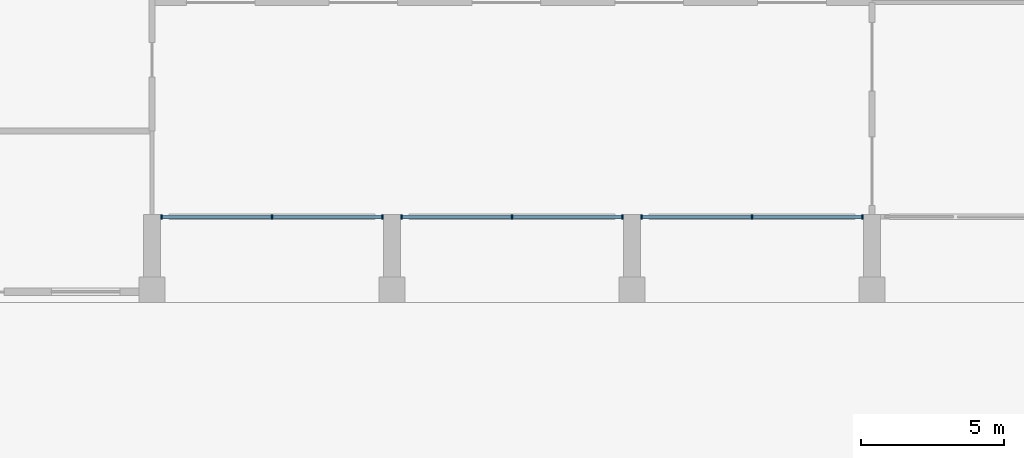
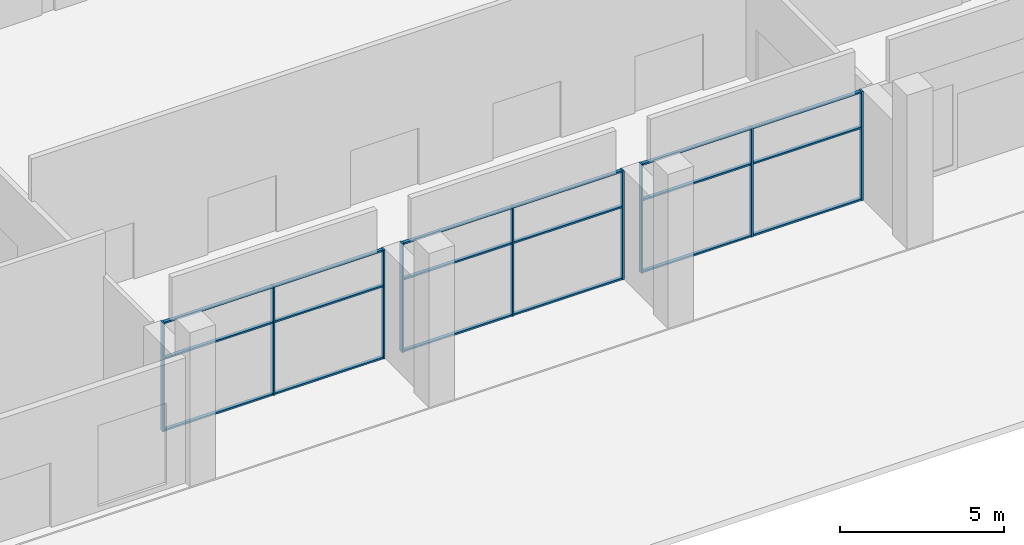
# One storey, part 2 of 20: 27 members, 3 elements without a shape of their own.
"""IFC4 building model written with IfcOpenShell, lengths in metres."""

from ifc_helpers import new_model, si_unit, direction, frame, origin, origin_2d, place, context, subcontext, project, spatial, rectangle, extrude, source, transform, mapped, material, layer, layer_set, material_profile, profile_set, type_object, element, aggregate, save


model = new_model("IFC4")

# Units and contexts
model_context = context("Model", 3, precision=1e-05, world=origin(), true_north=direction((0.0, 1.0)))
body_context = subcontext(model_context, "Body", "Model", "MODEL_VIEW")
ifc_project = project(units=[si_unit("LENGTHUNIT", "METRE"), si_unit("AREAUNIT", "SQUARE_METRE"), si_unit("VOLUMEUNIT", "CUBIC_METRE"), si_unit("PLANEANGLEUNIT", "RADIAN"), si_unit("MASSUNIT", "GRAM", prefix="KILO")], contexts=[model_context])

# Site, building, storey
site_placement = place(None, origin())
site = spatial("IfcSite", under=ifc_project, at=site_placement, CompositionType="ELEMENT")
building_placement = place(site_placement, origin())
building = spatial("IfcBuilding", under=site, at=building_placement, Name="Vanashikhar Sky Hotel", CompositionType="ELEMENT")
storey_placement = place(building_placement, origin())
storey = spatial("IfcBuildingStorey", under=building, at=storey_placement, Name="L00", CompositionType="ELEMENT", Elevation=0.0)

# Curtain wall, members
ifc_material_1 = material(Name="Glass", Category="glass")
ifc_layer = layer(ifc_material_1, 0.159912109375)
ifc_layer_set = layer_set([ifc_layer], Name="Lobby curtain wall")
curtain_wall_type = type_object("IfcCurtainWallType", Name="Lobby curtain wall", PredefinedType="NOTDEFINED", material=ifc_layer_set)
curtain_wall_1_placement = place(storey_placement, origin())
curtain_wall_1 = element("IfcCurtainWall", 1, at=curtain_wall_1_placement, inside=storey, type_object=curtain_wall_type, Name="Lobby curtain wall", PredefinedType="NOTDEFINED")
ifc_material_2 = material(Name="Aluminium 6063-T6", Category="aluminium")
ifc_material_profile_1 = material_profile(ifc_material_2, rectangle(XDim=0.159912109375, YDim=0.06005859375, at=origin_2d()))
ifc_profile_set_1 = profile_set([ifc_material_profile_1], Name="Aluminium 6063-T6")
member_type_1 = type_object("IfcMemberType", Name="Podium curtain wall mullion 60 x 160", PredefinedType="MULLION", material=ifc_profile_set_1)
shared_shape_1 = source(origin(), body_context, "Body", "SweptSolid", [
    extrude(rectangle(XDim=0.159912109375, YDim=0.06005859375, at=origin_2d()), origin(), (0.0, 0.0, 1.0), 4.050048828125),
])
member_1_placement = place(storey_placement, frame((17.1298828125, -21.0, 0.0), z_axis=(0.0, 0.0, 1.0), x_axis=(0.0, 1.0, 0.0)))
member_1 = element("IfcMember", 2, at=member_1_placement, type_object=member_type_1, Name="CW-1.001 mullion 1", PredefinedType="MULLION", context=body_context, shape_type="MappedRepresentation", body=[
    mapped(shared_shape_1, transform((0.0, 0.0, 0.0), scale=1.0)),
])
member_2_placement = place(storey_placement, frame((21.0, -21.0, 0.0), z_axis=(0.0, 0.0, 1.0), x_axis=(0.0, 1.0, 0.0)))
member_2 = element("IfcMember", 3, at=member_2_placement, type_object=member_type_1, Name="CW-1.001 mullion 2", PredefinedType="MULLION", context=body_context, shape_type="MappedRepresentation", body=[
    mapped(shared_shape_1, transform((0.0, 0.0, 0.0), scale=1.0)),
])
member_3_placement = place(storey_placement, frame((24.8701171875, -21.0, 0.0), z_axis=(0.0, 0.0, 1.0), x_axis=(0.0, 1.0, 0.0)))
member_3 = element("IfcMember", 4, at=member_3_placement, type_object=member_type_1, Name="CW-1.001 mullion 3", PredefinedType="MULLION", context=body_context, shape_type="MappedRepresentation", body=[
    mapped(shared_shape_1, transform((0.0, 0.0, 0.0), scale=1.0)),
])

curtain_wall_2_placement = place(storey_placement, origin())
curtain_wall_2 = element("IfcCurtainWall", 5, at=curtain_wall_2_placement, inside=storey, type_object=curtain_wall_type, Name="Lobby curtain wall", PredefinedType="NOTDEFINED")
member_4_placement = place(storey_placement, frame((25.530029296875, -21.0, 0.0), z_axis=(0.0, 0.0, 1.0), x_axis=(0.0, 1.0, 0.0)))
member_4 = element("IfcMember", 6, at=member_4_placement, type_object=member_type_1, Name="CW-1.002 mullion 1", PredefinedType="MULLION", context=body_context, shape_type="MappedRepresentation", body=[
    mapped(shared_shape_1, transform((0.0, 0.0, 0.0), scale=1.0)),
])
member_5_placement = place(storey_placement, frame((29.39990234375, -21.0, 0.0), z_axis=(0.0, 0.0, 1.0), x_axis=(0.0, 1.0, 0.0)))
member_5 = element("IfcMember", 7, at=member_5_placement, type_object=member_type_1, Name="CW-1.002 mullion 2", PredefinedType="MULLION", context=body_context, shape_type="MappedRepresentation", body=[
    mapped(shared_shape_1, transform((0.0, 0.0, 0.0), scale=1.0)),
])
member_6_placement = place(storey_placement, frame((33.27001953125, -21.0, 0.0), z_axis=(0.0, 0.0, 1.0), x_axis=(0.0, 1.0, 0.0)))
member_6 = element("IfcMember", 8, at=member_6_placement, type_object=member_type_1, Name="CW-1.002 mullion 3", PredefinedType="MULLION", context=body_context, shape_type="MappedRepresentation", body=[
    mapped(shared_shape_1, transform((0.0, 0.0, 0.0), scale=1.0)),
])

curtain_wall_3_placement = place(storey_placement, origin())
curtain_wall_3 = element("IfcCurtainWall", 9, at=curtain_wall_3_placement, inside=storey, type_object=curtain_wall_type, Name="Lobby curtain wall", PredefinedType="NOTDEFINED")
member_7_placement = place(storey_placement, frame((33.929931640625, -21.0, 0.0), z_axis=(0.0, 0.0, 1.0), x_axis=(0.0, 1.0, 0.0)))
member_7 = element("IfcMember", 10, at=member_7_placement, type_object=member_type_1, Name="CW-1.003 mullion 1", PredefinedType="MULLION", context=body_context, shape_type="MappedRepresentation", body=[
    mapped(shared_shape_1, transform((0.0, 0.0, 0.0), scale=1.0)),
])
member_8_placement = place(storey_placement, frame((37.800048828125, -21.0, 0.0), z_axis=(0.0, 0.0, 1.0), x_axis=(0.0, 1.0, 0.0)))
member_8 = element("IfcMember", 11, at=member_8_placement, type_object=member_type_1, Name="CW-1.003 mullion 2", PredefinedType="MULLION", context=body_context, shape_type="MappedRepresentation", body=[
    mapped(shared_shape_1, transform((0.0, 0.0, 0.0), scale=1.0)),
])
member_9_placement = place(storey_placement, frame((41.669921875, -21.0, 0.0), z_axis=(0.0, 0.0, 1.0), x_axis=(0.0, 1.0, 0.0)))
member_9 = element("IfcMember", 12, at=member_9_placement, type_object=member_type_1, Name="CW-1.003 mullion 3", PredefinedType="MULLION", context=body_context, shape_type="MappedRepresentation", body=[
    mapped(shared_shape_1, transform((0.0, 0.0, 0.0), scale=1.0)),
])

# Member
ifc_material_profile_2 = material_profile(ifc_material_2, rectangle(XDim=0.1201171875, YDim=0.06005859375, at=origin_2d()))
ifc_profile_set_2 = profile_set([ifc_material_profile_2], Name="Aluminium 6063-T6")
member_type_2 = type_object("IfcMemberType", Name="Podium curtain wall transom 60 x 120", PredefinedType="USERDEFINED", material=ifc_profile_set_2)
shared_shape_2 = source(origin(), body_context, "Body", "SweptSolid", [
    extrude(rectangle(XDim=0.1201171875, YDim=0.06005859375, at=origin_2d()), origin(), (0.0, 0.0, 1.0), 3.81005859375),
])
member_10_placement = place(storey_placement, frame((17.159912109375, -21.0, 0.030029296875), z_axis=(1.0, 0.0, 0.0), x_axis=(0.0, 1.0, 0.0)))
member_10 = element("IfcMember", 13, at=member_10_placement, type_object=member_type_2, Name="CW-1.001 transom 1.1", ObjectType="TRANSOM", PredefinedType="USERDEFINED", context=body_context, shape_type="MappedRepresentation", body=[
    mapped(shared_shape_2, transform((0.0, 0.0, 0.0), scale=1.0)),
])

member_11_placement = place(storey_placement, frame((17.159912109375, -21.0, 2.699951171875), z_axis=(1.0, 0.0, 0.0), x_axis=(0.0, 1.0, 0.0)))
member_11 = element("IfcMember", 14, at=member_11_placement, type_object=member_type_2, Name="CW-1.001 transom 1.2", ObjectType="TRANSOM", PredefinedType="USERDEFINED", context=body_context, shape_type="MappedRepresentation", body=[
    mapped(shared_shape_2, transform((0.0, 0.0, 0.0), scale=1.0)),
])

member_12_placement = place(storey_placement, frame((17.159912109375, -21.0, 4.02001953125), z_axis=(1.0, 0.0, 0.0), x_axis=(0.0, 1.0, 0.0)))
member_12 = element("IfcMember", 15, at=member_12_placement, type_object=member_type_2, Name="CW-1.001 transom 1.3", ObjectType="TRANSOM", PredefinedType="USERDEFINED", context=body_context, shape_type="MappedRepresentation", body=[
    mapped(shared_shape_2, transform((0.0, 0.0, 0.0), scale=1.0)),
])

member_13_placement = place(storey_placement, frame((21.030029296875, -21.0, 0.030029296875), z_axis=(1.0, 0.0, 0.0), x_axis=(0.0, 1.0, 0.0)))
member_13 = element("IfcMember", 16, at=member_13_placement, type_object=member_type_2, Name="CW-1.001 transom 2.1", ObjectType="TRANSOM", PredefinedType="USERDEFINED", context=body_context, shape_type="MappedRepresentation", body=[
    mapped(shared_shape_2, transform((0.0, 0.0, 0.0), scale=1.0)),
])

member_14_placement = place(storey_placement, frame((21.030029296875, -21.0, 2.699951171875), z_axis=(1.0, 0.0, 0.0), x_axis=(0.0, 1.0, 0.0)))
member_14 = element("IfcMember", 17, at=member_14_placement, type_object=member_type_2, Name="CW-1.001 transom 2.2", ObjectType="TRANSOM", PredefinedType="USERDEFINED", context=body_context, shape_type="MappedRepresentation", body=[
    mapped(shared_shape_2, transform((0.0, 0.0, 0.0), scale=1.0)),
])

member_15_placement = place(storey_placement, frame((21.030029296875, -21.0, 4.02001953125), z_axis=(1.0, 0.0, 0.0), x_axis=(0.0, 1.0, 0.0)))
member_15 = element("IfcMember", 18, at=member_15_placement, type_object=member_type_2, Name="CW-1.001 transom 2.3", ObjectType="TRANSOM", PredefinedType="USERDEFINED", context=body_context, shape_type="MappedRepresentation", body=[
    mapped(shared_shape_2, transform((0.0, 0.0, 0.0), scale=1.0)),
])

aggregate(curtain_wall_1, [member_1, member_2, member_3, member_10, member_11, member_12, member_13, member_14, member_15])

member_16_placement = place(storey_placement, frame((25.56005859375, -21.0, 0.030029296875), z_axis=(1.0, 0.0, 0.0), x_axis=(0.0, 1.0, 0.0)))
member_16 = element("IfcMember", 19, at=member_16_placement, type_object=member_type_2, Name="CW-1.002 transom 1.1", ObjectType="TRANSOM", PredefinedType="USERDEFINED", context=body_context, shape_type="MappedRepresentation", body=[
    mapped(shared_shape_2, transform((0.0, 0.0, 0.0), scale=1.0)),
])

member_17_placement = place(storey_placement, frame((25.56005859375, -21.0, 2.699951171875), z_axis=(1.0, 0.0, 0.0), x_axis=(0.0, 1.0, 0.0)))
member_17 = element("IfcMember", 20, at=member_17_placement, type_object=member_type_2, Name="CW-1.002 transom 1.2", ObjectType="TRANSOM", PredefinedType="USERDEFINED", context=body_context, shape_type="MappedRepresentation", body=[
    mapped(shared_shape_2, transform((0.0, 0.0, 0.0), scale=1.0)),
])

member_18_placement = place(storey_placement, frame((25.56005859375, -21.0, 4.02001953125), z_axis=(1.0, 0.0, 0.0), x_axis=(0.0, 1.0, 0.0)))
member_18 = element("IfcMember", 21, at=member_18_placement, type_object=member_type_2, Name="CW-1.002 transom 1.3", ObjectType="TRANSOM", PredefinedType="USERDEFINED", context=body_context, shape_type="MappedRepresentation", body=[
    mapped(shared_shape_2, transform((0.0, 0.0, 0.0), scale=1.0)),
])

member_19_placement = place(storey_placement, frame((29.429931640625, -21.0, 0.030029296875), z_axis=(1.0, 0.0, 0.0), x_axis=(0.0, 1.0, 0.0)))
member_19 = element("IfcMember", 22, at=member_19_placement, type_object=member_type_2, Name="CW-1.002 transom 2.1", ObjectType="TRANSOM", PredefinedType="USERDEFINED", context=body_context, shape_type="MappedRepresentation", body=[
    mapped(shared_shape_2, transform((0.0, 0.0, 0.0), scale=1.0)),
])

member_20_placement = place(storey_placement, frame((29.429931640625, -21.0, 2.699951171875), z_axis=(1.0, 0.0, 0.0), x_axis=(0.0, 1.0, 0.0)))
member_20 = element("IfcMember", 23, at=member_20_placement, type_object=member_type_2, Name="CW-1.002 transom 2.2", ObjectType="TRANSOM", PredefinedType="USERDEFINED", context=body_context, shape_type="MappedRepresentation", body=[
    mapped(shared_shape_2, transform((0.0, 0.0, 0.0), scale=1.0)),
])

member_21_placement = place(storey_placement, frame((29.429931640625, -21.0, 4.02001953125), z_axis=(1.0, 0.0, 0.0), x_axis=(0.0, 1.0, 0.0)))
member_21 = element("IfcMember", 24, at=member_21_placement, type_object=member_type_2, Name="CW-1.002 transom 2.3", ObjectType="TRANSOM", PredefinedType="USERDEFINED", context=body_context, shape_type="MappedRepresentation", body=[
    mapped(shared_shape_2, transform((0.0, 0.0, 0.0), scale=1.0)),
])

aggregate(curtain_wall_2, [member_4, member_5, member_6, member_16, member_17, member_18, member_19, member_20, member_21])

member_22_placement = place(storey_placement, frame((33.9599609375, -21.0, 0.030029296875), z_axis=(1.0, 0.0, 0.0), x_axis=(0.0, 1.0, 0.0)))
member_22 = element("IfcMember", 25, at=member_22_placement, type_object=member_type_2, Name="CW-1.003 transom 1.1", ObjectType="TRANSOM", PredefinedType="USERDEFINED", context=body_context, shape_type="MappedRepresentation", body=[
    mapped(shared_shape_2, transform((0.0, 0.0, 0.0), scale=1.0)),
])

member_23_placement = place(storey_placement, frame((33.9599609375, -21.0, 2.699951171875), z_axis=(1.0, 0.0, 0.0), x_axis=(0.0, 1.0, 0.0)))
member_23 = element("IfcMember", 26, at=member_23_placement, type_object=member_type_2, Name="CW-1.003 transom 1.2", ObjectType="TRANSOM", PredefinedType="USERDEFINED", context=body_context, shape_type="MappedRepresentation", body=[
    mapped(shared_shape_2, transform((0.0, 0.0, 0.0), scale=1.0)),
])

member_24_placement = place(storey_placement, frame((33.9599609375, -21.0, 4.02001953125), z_axis=(1.0, 0.0, 0.0), x_axis=(0.0, 1.0, 0.0)))
member_24 = element("IfcMember", 27, at=member_24_placement, type_object=member_type_2, Name="CW-1.003 transom 1.3", ObjectType="TRANSOM", PredefinedType="USERDEFINED", context=body_context, shape_type="MappedRepresentation", body=[
    mapped(shared_shape_2, transform((0.0, 0.0, 0.0), scale=1.0)),
])

shared_shape_3 = source(origin(), body_context, "Body", "SweptSolid", [
    extrude(rectangle(XDim=0.1201171875, YDim=0.06005859375, at=origin_2d()), origin(), (0.0, 0.0, 1.0), 3.809814453125),
])
member_25_placement = place(storey_placement, frame((37.830078125, -21.0, 0.030029296875), z_axis=(1.0, 0.0, 0.0), x_axis=(0.0, 1.0, 0.0)))
member_25 = element("IfcMember", 28, at=member_25_placement, type_object=member_type_2, Name="CW-1.003 transom 2.1", ObjectType="TRANSOM", PredefinedType="USERDEFINED", context=body_context, shape_type="MappedRepresentation", body=[
    mapped(shared_shape_3, transform((0.0, 0.0, 0.0), scale=1.0)),
])

member_26_placement = place(storey_placement, frame((37.830078125, -21.0, 2.699951171875), z_axis=(1.0, 0.0, 0.0), x_axis=(0.0, 1.0, 0.0)))
member_26 = element("IfcMember", 29, at=member_26_placement, type_object=member_type_2, Name="CW-1.003 transom 2.2", ObjectType="TRANSOM", PredefinedType="USERDEFINED", context=body_context, shape_type="MappedRepresentation", body=[
    mapped(shared_shape_3, transform((0.0, 0.0, 0.0), scale=1.0)),
])

member_27_placement = place(storey_placement, frame((37.830078125, -21.0, 4.02001953125), z_axis=(1.0, 0.0, 0.0), x_axis=(0.0, 1.0, 0.0)))
member_27 = element("IfcMember", 30, at=member_27_placement, type_object=member_type_2, Name="CW-1.003 transom 2.3", ObjectType="TRANSOM", PredefinedType="USERDEFINED", context=body_context, shape_type="MappedRepresentation", body=[
    mapped(shared_shape_3, transform((0.0, 0.0, 0.0), scale=1.0)),
])

aggregate(curtain_wall_3, [member_7, member_8, member_9, member_22, member_23, member_24, member_25, member_26, member_27])

save(model, "model.ifc")
